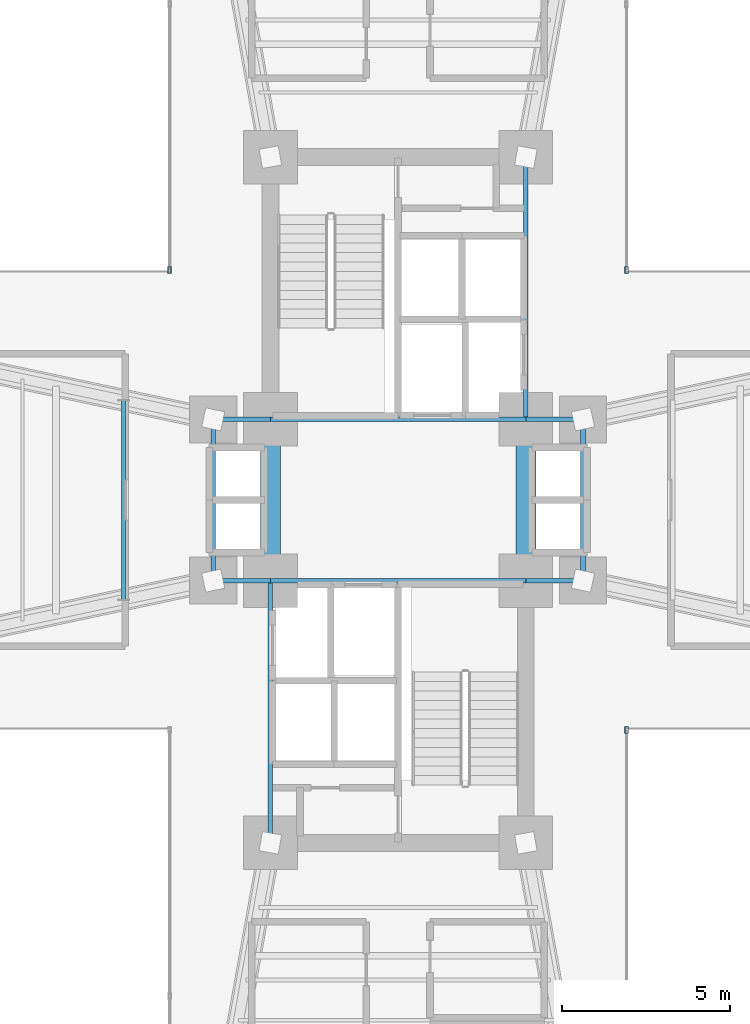
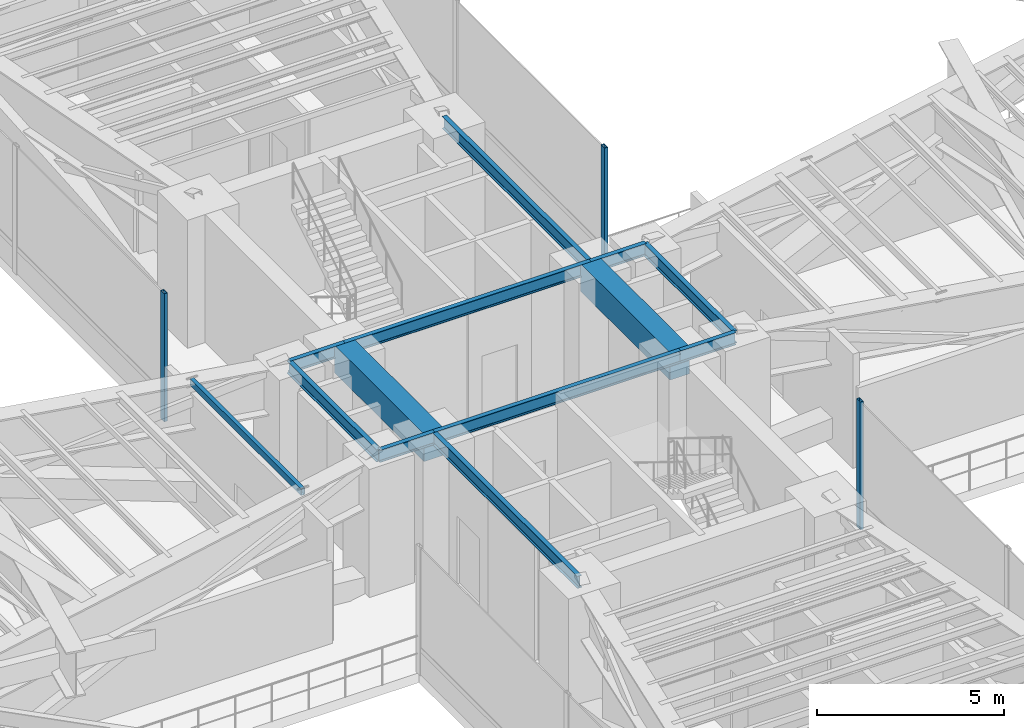
# One storey, part 6 of 18: 13 beams, 3 members, 3 elements without a shape of their own.
"""IFC4 building model written with IfcOpenShell, lengths in metres."""

from ifc_helpers import new_model, si_unit, direction, frame, origin, origin_2d, place, context, subcontext, project, spatial, rectangle, hollow_rectangle, i_section, extrude, source, transform, mapped, material, material_profile, profile_set, type_object, element, aggregate, save


model = new_model("IFC4")

# Units and contexts
model_context = context("Model", 3, precision=1e-05, world=origin(), true_north=direction((0.0, 1.0)))
body_context = subcontext(model_context, "Body", "Model", "MODEL_VIEW")
ifc_project = project(units=[si_unit("LENGTHUNIT", "METRE"), si_unit("AREAUNIT", "SQUARE_METRE"), si_unit("VOLUMEUNIT", "CUBIC_METRE"), si_unit("PLANEANGLEUNIT", "RADIAN"), si_unit("MASSUNIT", "GRAM", prefix="KILO")], contexts=[model_context])

# Site, building, storey
site_placement = place(None, origin())
site = spatial("IfcSite", under=ifc_project, at=site_placement, CompositionType="ELEMENT")
building_placement = place(site_placement, origin())
building = spatial("IfcBuilding", under=site, at=building_placement, Name="Sahyath Konkavel Grand Hotel", CompositionType="ELEMENT")
storey_placement = place(building_placement, frame((0.0, 0.0, 74.5)))
storey = spatial("IfcBuildingStorey", under=building, at=storey_placement, Name="L20", CompositionType="ELEMENT", Elevation=74.5)

# Beams
ifc_material_1 = material(Name="Concrete C70/85", Category="concrete")
ifc_material_profile_1 = material_profile(ifc_material_1, rectangle(XDim=0.60009765625, YDim=0.89990234375, at=origin_2d()), Name="RC 600x900")
ifc_profile_set_1 = profile_set([ifc_material_profile_1], Name="Concrete C70/85")
beam_type_1 = type_object("IfcBeamType", Name="BM-CB600x900", PredefinedType="LINTEL", material=ifc_profile_set_1)
shared_shape_1 = source(origin(), body_context, "Body", "SweptSolid", [
    extrude(rectangle(XDim=0.60009765625, YDim=0.89990234375, at=origin_2d()), origin(), (0.0, 0.0, 1.0), 4.7998046875),
])
for number, where, z_axis, x_axis, name in (
    (1, (-3.800048828125, -2.39990234375, 3.72998046875), (0.0, 1.0, 0.0), (-1.0, 0.0, 0.0), "L20 Split-Core Coupling Beam West"),
    (2, (3.800048828125, -2.39990234375, 3.72998046875), (0.0, 1.0, 0.0), (-1.0, 0.0, 0.0), "L20 Split-Core Coupling Beam East"),
):
    element("IfcBeam", number, at=place(storey_placement, frame(where, z_axis=z_axis, x_axis=x_axis)), inside=storey, type_object=beam_type_1, Name=name, PredefinedType="LINTEL", context=body_context, shape_type="MappedRepresentation", body=[
        mapped(shared_shape_1, transform((0.0, 0.0, 0.0), scale=1.0)),
    ])
ifc_material_2 = material(Name="Steel E350", Category="steel")
ifc_material_profile_2 = material_profile(ifc_material_2, i_section(OverallWidth=0.139892578125, OverallDepth=0.39990234375, WebThickness=0.0087890625, FlangeThickness=0.01611328125, FilletRadius=0.013916015625, at=origin_2d()), Name="ISMB 400")
ifc_profile_set_2 = profile_set([ifc_material_profile_2], Name="Steel E350")
beam_type_2 = type_object("IfcBeamType", Name="BM-ISMB400", PredefinedType="BEAM", material=ifc_profile_set_2)
shared_shape_2 = source(origin(), body_context, "Body", "SweptSolid", [
    extrude(i_section(OverallWidth=0.139892578125, OverallDepth=0.39990234375, WebThickness=0.0087890625, FlangeThickness=0.01611328125, FilletRadius=0.013916015625, at=origin_2d()), origin(), (0.0, 0.0, 1.0), 7.60009765625),
])
for number, where, z_axis, x_axis, name in (
    (3, (-3.800048828125, 2.39990234375, 3.97998046875), (1.0, 0.0, 0.0), (0.0, 1.0, 0.0), "str:bm:L20:NC-S"),
    (4, (-3.800048828125, -2.39990234375, 3.97998046875), (1.0, 0.0, 0.0), (0.0, 1.0, 0.0), "str:bm:L20:SC-N"),
):
    element("IfcBeam", number, at=place(storey_placement, frame(where, z_axis=z_axis, x_axis=x_axis)), inside=storey, type_object=beam_type_2, Name=name, PredefinedType="BEAM", context=body_context, shape_type="MappedRepresentation", body=[
        mapped(shared_shape_2, transform((0.0, 0.0, 0.0), scale=1.0)),
    ])
shared_shape_3 = source(origin(), body_context, "Body", "SweptSolid", [
    extrude(i_section(OverallWidth=0.139892578125, OverallDepth=0.39990234375, WebThickness=0.0087890625, FlangeThickness=0.01611328125, FilletRadius=0.013916015625, at=origin_2d()), origin(), (0.0, 0.0, 1.0), 7.800048828125),
])
for number, where, z_axis, x_axis, name in (
    (5, (3.800048828125, 2.39990234375, 3.97998046875), (0.0, 1.0, 0.0), (-1.0, 0.0, 0.0), "str:bm:L20:NC-E"),
    (6, (-3.800048828125, -10.199951171875, 3.97998046875), (0.0, 1.0, 0.0), (-1.0, 0.0, 0.0), "str:bm:L20:SC-W"),
):
    element("IfcBeam", number, at=place(storey_placement, frame(where, z_axis=z_axis, x_axis=x_axis)), inside=storey, type_object=beam_type_2, Name=name, PredefinedType="BEAM", context=body_context, shape_type="MappedRepresentation", body=[
        mapped(shared_shape_3, transform((0.0, 0.0, 0.0), scale=1.0)),
    ])
shared_shape_4 = source(origin(), body_context, "Body", "SweptSolid", [
    extrude(i_section(OverallWidth=0.139892578125, OverallDepth=0.39990234375, WebThickness=0.0087890625, FlangeThickness=0.01611328125, FilletRadius=0.013916015625, at=origin_2d()), origin(), (0.0, 0.0, 1.0), 1.699951171875),
])
for number, where, z_axis, x_axis, name in (
    (7, (-5.5, 2.39990234375, 3.97998046875), (1.0, 0.0, 0.0), (0.0, 1.0, 0.0), "str:bm:L20:HB-NW"),
    (8, (3.800048828125, 2.39990234375, 3.97998046875), (1.0, 0.0, 0.0), (0.0, 1.0, 0.0), "str:bm:L20:HB-NE"),
    (9, (-5.5, -2.39990234375, 3.97998046875), (1.0, 0.0, 0.0), (0.0, 1.0, 0.0), "str:bm:L20:HB-SW"),
    (10, (3.800048828125, -2.39990234375, 3.97998046875), (1.0, 0.0, 0.0), (0.0, 1.0, 0.0), "str:bm:L20:HB-SE"),
):
    element("IfcBeam", number, at=place(storey_placement, frame(where, z_axis=z_axis, x_axis=x_axis)), inside=storey, type_object=beam_type_2, Name=name, PredefinedType="BEAM", context=body_context, shape_type="MappedRepresentation", body=[
        mapped(shared_shape_4, transform((0.0, 0.0, 0.0), scale=1.0)),
    ])
shared_shape_5 = source(origin(), body_context, "Body", "SweptSolid", [
    extrude(i_section(OverallWidth=0.139892578125, OverallDepth=0.39990234375, WebThickness=0.0087890625, FlangeThickness=0.01611328125, FilletRadius=0.013916015625, at=origin_2d()), origin(), (0.0, 0.0, 1.0), 4.7998046875),
])
for number, where, z_axis, x_axis, name in (
    (11, (5.5, -2.39990234375, 3.97998046875), (0.0, 1.0, 0.0), (-1.0, 0.0, 0.0), "str:bm:L20:HB-E"),
    (12, (-5.5, -2.39990234375, 3.97998046875), (0.0, 1.0, 0.0), (-1.0, 0.0, 0.0), "str:bm:L20:HB-W"),
):
    element("IfcBeam", number, at=place(storey_placement, frame(where, z_axis=z_axis, x_axis=x_axis)), inside=storey, type_object=beam_type_2, Name=name, PredefinedType="BEAM", context=body_context, shape_type="MappedRepresentation", body=[
        mapped(shared_shape_5, transform((0.0, 0.0, 0.0), scale=1.0)),
    ])
ifc_material_profile_3 = material_profile(ifc_material_2, hollow_rectangle(XDim=0.1201171875, YDim=0.219970703125, WallThickness=0.010009765625, at=origin_2d()), Name="RHS 220x120x10")
ifc_profile_set_3 = profile_set([ifc_material_profile_3], Name="Steel E350")
beam_type_3 = type_object("IfcBeamType", Name="BM-RHS220", PredefinedType="BEAM", material=ifc_profile_set_3)
shared_shape_6 = source(origin(), body_context, "Body", "SweptSolid", [
    extrude(hollow_rectangle(XDim=0.1201171875, YDim=0.219970703125, WallThickness=0.010009765625, at=origin_2d()), origin(), (0.0, 0.0, 1.0), 5.93603515625),
])
beam_placement = place(storey_placement, frame((-8.172119140625, 2.968017578125, 4.070068359375), z_axis=(0.0, -1.0, 0.0), x_axis=(1.0, 0.0, 0.0)))
element("IfcBeam", 13, at=beam_placement, inside=storey, type_object=beam_type_3, Name="L20 Composite Deck Sub-Beam W-1", PredefinedType="BEAM", context=body_context, shape_type="MappedRepresentation", body=[
    mapped(shared_shape_6, transform((0.0, 0.0, 0.0), scale=1.0)),
])

# Curtain wall, member
ifc_material_3 = material(Name="Anodised Bronze Aluminium & Low-E Glazing", Category="aluminium")
curtain_wall_type = type_object("IfcCurtainWallType", Name="CW-SKYLOBBY", PredefinedType="NOTDEFINED", material=ifc_material_3)
curtain_wall_1_placement = place(storey_placement, origin())
curtain_wall_1 = element("IfcCurtainWall", 14, at=curtain_wall_1_placement, inside=storey, type_object=curtain_wall_type, Name="L20 Unitised Curtain Wall RF8", PredefinedType="NOTDEFINED")
ifc_material_4 = material(Name="Anodised Bronze Aluminium", Category="aluminium")
ifc_material_profile_4 = material_profile(ifc_material_4, hollow_rectangle(XDim=0.10009765625, YDim=0.199951171875, WallThickness=0.008056640625, at=origin_2d()), Name="RHS 200x100x8")
ifc_profile_set_4 = profile_set([ifc_material_profile_4], Name="Anodised Bronze Aluminium")
member_type = type_object("IfcMemberType", Name="CW-MUL-200", PredefinedType="MULLION", material=ifc_profile_set_4)
shared_shape_7 = source(origin(), body_context, "Body", "SweptSolid", [
    extrude(hollow_rectangle(XDim=0.10009765625, YDim=0.199951171875, WallThickness=0.008056640625, at=origin_2d()), origin(), (0.0, 0.0, 1.0), 4.179931640625),
])
member_1_placement = place(storey_placement, frame((6.800048828125, 6.840087890625, 0.0), z_axis=(0.0, 0.0, 1.0), x_axis=(1.0, 0.0, 0.0)))
member_1 = element("IfcMember", 15, at=member_1_placement, type_object=member_type, Name="L20 Curtain Wall Mullion RF8-0", PredefinedType="MULLION", context=body_context, shape_type="MappedRepresentation", body=[
    mapped(shared_shape_7, transform((0.0, 0.0, 0.0), scale=1.0)),
])
aggregate(curtain_wall_1, [member_1])

curtain_wall_2_placement = place(storey_placement, origin())
curtain_wall_2 = element("IfcCurtainWall", 16, at=curtain_wall_2_placement, inside=storey, type_object=curtain_wall_type, Name="L20 Unitised Curtain Wall RF15", PredefinedType="NOTDEFINED")
member_2_placement = place(storey_placement, frame((-6.800048828125, 6.840087890625, 0.0), z_axis=(0.0, 0.0, 1.0), x_axis=(1.0, 0.0, 0.0)))
member_2 = element("IfcMember", 17, at=member_2_placement, type_object=member_type, Name="L20 Curtain Wall Mullion RF15-2", PredefinedType="MULLION", context=body_context, shape_type="MappedRepresentation", body=[
    mapped(shared_shape_7, transform((0.0, 0.0, 0.0), scale=1.0)),
])
aggregate(curtain_wall_2, [member_2])

curtain_wall_3_placement = place(storey_placement, origin())
curtain_wall_3 = element("IfcCurtainWall", 18, at=curtain_wall_3_placement, inside=storey, type_object=curtain_wall_type, Name="L20 Unitised Curtain Wall RF31", PredefinedType="NOTDEFINED")
member_3_placement = place(storey_placement, frame((6.800048828125, -6.840087890625, 0.0), z_axis=(0.0, 0.0, 1.0), x_axis=(1.0, 0.0, 0.0)))
member_3 = element("IfcMember", 19, at=member_3_placement, type_object=member_type, Name="L20 Curtain Wall Mullion RF31-2", PredefinedType="MULLION", context=body_context, shape_type="MappedRepresentation", body=[
    mapped(shared_shape_7, transform((0.0, 0.0, 0.0), scale=1.0)),
])
aggregate(curtain_wall_3, [member_3])

save(model, "model.ifc")
